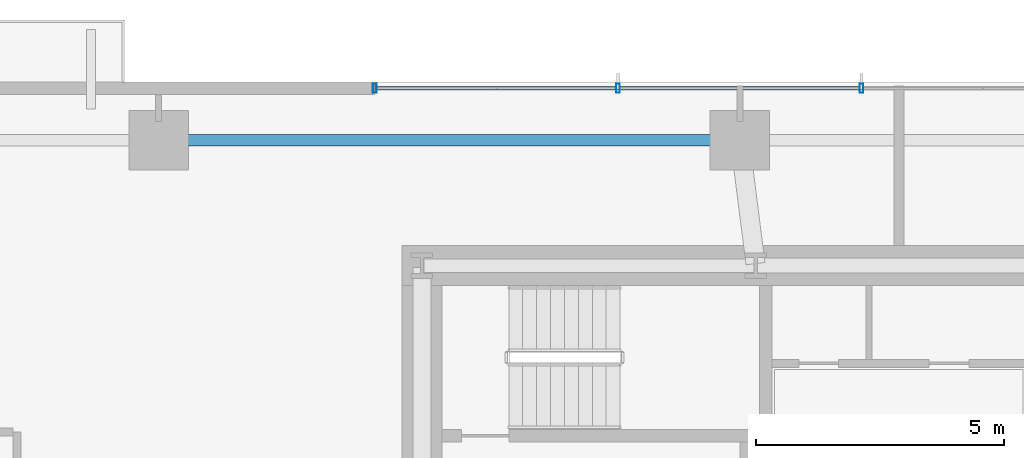
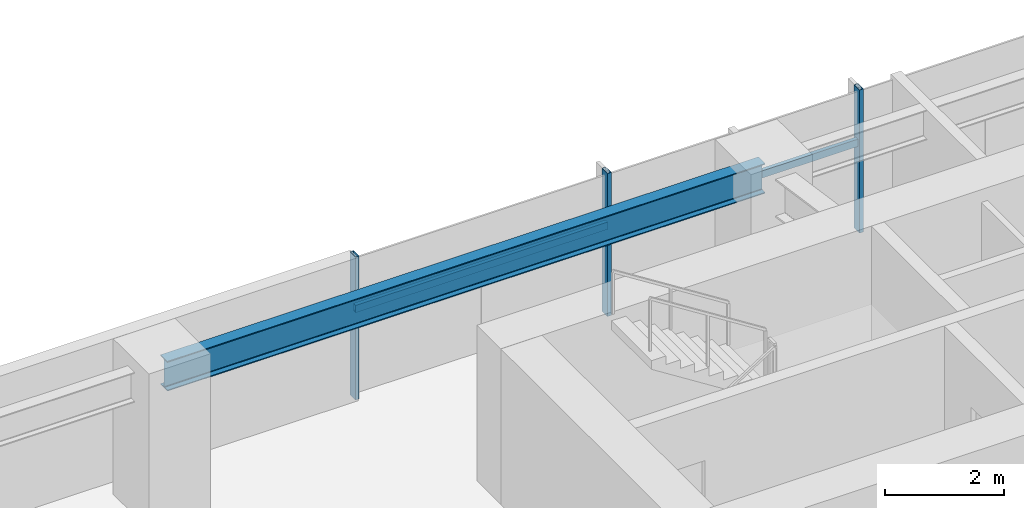
# One storey, part 10 of 25: 5 members, 1 beam, 1 element without a shape of its own.
"""IFC4 building model written with IfcOpenShell, lengths in metres."""

from ifc_helpers import new_model, si_unit, direction, frame, origin, origin_2d, place, context, subcontext, project, spatial, hollow_rectangle, i_section, extrude, source, transform, mapped, material, material_profile, profile_set, type_object, type_shapes, element, aggregate, save


model = new_model("IFC4")

# Units and contexts
model_context = context("Model", 3, precision=1e-05, world=origin(), true_north=direction((0.0, 1.0)))
body_context = subcontext(model_context, "Body", "Model", "MODEL_VIEW")
ifc_project = project(units=[si_unit("LENGTHUNIT", "METRE"), si_unit("AREAUNIT", "SQUARE_METRE"), si_unit("VOLUMEUNIT", "CUBIC_METRE"), si_unit("PLANEANGLEUNIT", "RADIAN"), si_unit("MASSUNIT", "GRAM", prefix="KILO")], contexts=[model_context])

# Site, building, storey
site_placement = place(None, origin())
site = spatial("IfcSite", under=ifc_project, at=site_placement, CompositionType="ELEMENT")
building_placement = place(site_placement, origin())
building = spatial("IfcBuilding", under=site, at=building_placement, Name="Astriad Promenade Condominiums", CompositionType="ELEMENT")
storey_placement = place(building_placement, frame((0.0, 0.0, 32.60009765625)))
storey = spatial("IfcBuildingStorey", under=building, at=storey_placement, Name="L08", CompositionType="ELEMENT", Elevation=32.60009765625)

# Beam
ifc_material_1 = material(Name="Steel ASTM A992 Grade 50", Category="steel")
ifc_material_profile_1 = material_profile(ifc_material_1, i_section(OverallWidth=0.22900390625, OverallDepth=0.612060546875, WebThickness=0.011962890625, FlangeThickness=0.01953125, FilletRadius=0.017822265625, at=origin_2d()), Name="W24X84")
ifc_profile_set_1 = profile_set([ifc_material_profile_1], Name="Steel ASTM A992 Grade 50")
beam_type = type_object("IfcBeamType", Name="STEEL SPANDREL BEAM W24X84", PredefinedType="SPANDREL", material=ifc_profile_set_1)
shared_shape_1 = source(origin(), body_context, "Body", "SweptSolid", [
    extrude(i_section(OverallWidth=0.22900390625, OverallDepth=0.612060546875, WebThickness=0.011962890625, FlangeThickness=0.01953125, FilletRadius=0.017822265625, at=origin_2d()), origin(), (0.0, 0.0, 1.0), 11.6201171875),
])
type_shapes(beam_type, [shared_shape_1])
beam_placement = place(storey_placement, frame((32.760009765625, 26.52001953125, 2.6337890625), z_axis=(-1.0, 0.0, 0.0), x_axis=(0.0, -1.0, 0.0)))
element("IfcBeam", 1, at=beam_placement, inside=storey, type_object=beam_type, Name="Perimeter Spandrel Beam SP-N2-L08", PredefinedType="SPANDREL", context=body_context, shape_type="MappedRepresentation", body=[
    mapped(shared_shape_1, transform((0.0, 0.0, 0.0), scale=1.0)),
])

# Curtain wall, members
ifc_material_2 = material(Name="Anodised aluminium Black Dark Glass Unitised", Category="aluminium")
curtain_wall_type = type_object("IfcCurtainWallType", Name="CW-B1-DARK", PredefinedType="USERDEFINED", material=ifc_material_2)
curtain_wall_placement = place(storey_placement, origin())
curtain_wall = element("IfcCurtainWall", 2, at=curtain_wall_placement, inside=storey, type_object=curtain_wall_type, Name="CW-L08-N", ObjectType="UNITISED_CURTAIN_WALL", PredefinedType="USERDEFINED")
ifc_material_3 = material(Name="Anodised aluminium 6063-T6 Black", Category="aluminium")
ifc_material_profile_2 = material_profile(ifc_material_3, hollow_rectangle(XDim=0.074951171875, YDim=0.18505859375, WallThickness=0.00439453125, at=origin_2d()), Name="ALU-MUL-75X185")
ifc_profile_set_2 = profile_set([ifc_material_profile_2], Name="Anodised aluminium 6063-T6 Black")
member_type_1 = type_object("IfcMemberType", Name="MUL-ALU-MUL-75X185", PredefinedType="MULLION", material=ifc_profile_set_2)
shared_shape_2 = source(origin(), body_context, "Body", "SweptSolid", [
    extrude(hollow_rectangle(XDim=0.074951171875, YDim=0.18505859375, WallThickness=0.00439453125, at=origin_2d()), origin(), (0.0, 0.0, 1.0), 2.93994140625),
])
type_shapes(member_type_1, [shared_shape_2])
member_1_placement = place(storey_placement, frame((25.449951171875, 27.570068359375, 0.0), z_axis=(0.0, 0.0, 1.0), x_axis=(1.0, 0.0, 0.0)))
member_1 = element("IfcMember", 3, at=member_1_placement, type_object=member_type_1, Name="CW-L08-N-MUL-00", PredefinedType="MULLION", context=body_context, shape_type="MappedRepresentation", body=[
    mapped(shared_shape_2, transform((0.0, 0.0, 0.0), scale=1.0)),
])
member_2_placement = place(storey_placement, frame((30.35009765625, 27.570068359375, 0.0), z_axis=(0.0, 0.0, 1.0), x_axis=(1.0, 0.0, 0.0)))
member_2 = element("IfcMember", 4, at=member_2_placement, type_object=member_type_1, Name="CW-L08-N-MUL-01", PredefinedType="MULLION", context=body_context, shape_type="MappedRepresentation", body=[
    mapped(shared_shape_2, transform((0.0, 0.0, 0.0), scale=1.0)),
])
member_3_placement = place(storey_placement, frame((35.25, 27.570068359375, 0.0), z_axis=(0.0, 0.0, 1.0), x_axis=(1.0, 0.0, 0.0)))
member_3 = element("IfcMember", 5, at=member_3_placement, type_object=member_type_1, Name="CW-L08-N-MUL-02", PredefinedType="MULLION", context=body_context, shape_type="MappedRepresentation", body=[
    mapped(shared_shape_2, transform((0.0, 0.0, 0.0), scale=1.0)),
])
ifc_material_profile_3 = material_profile(ifc_material_3, hollow_rectangle(XDim=0.074951171875, YDim=0.14990234375, WallThickness=0.004150390625, at=origin_2d()), Name="ALU-TRN-75X150")
ifc_profile_set_3 = profile_set([ifc_material_profile_3], Name="Anodised aluminium 6063-T6 Black")
member_type_2 = type_object("IfcMemberType", Name="TRN-ALU-TRN-75X150", PredefinedType="USERDEFINED", material=ifc_profile_set_3)
shared_shape_3 = source(origin(), body_context, "Body", "SweptSolid", [
    extrude(hollow_rectangle(XDim=0.074951171875, YDim=0.14990234375, WallThickness=0.004150390625, at=origin_2d()), origin(), (0.0, 0.0, 1.0), 4.900146484375),
])
member_4_placement = place(storey_placement, frame((25.449951171875, 27.570068359375, 1.82275390625), z_axis=(1.0, 0.0, 0.0), x_axis=(0.0, 1.0, 0.0)))
member_4 = element("IfcMember", 6, at=member_4_placement, type_object=member_type_2, Name="CW-L08-N-TRN-00-0", ObjectType="TRANSOM", PredefinedType="USERDEFINED", context=body_context, shape_type="MappedRepresentation", body=[
    mapped(shared_shape_3, transform((0.0, 0.0, 0.0), scale=1.0)),
])
shared_shape_4 = source(origin(), body_context, "Body", "SweptSolid", [
    extrude(hollow_rectangle(XDim=0.074951171875, YDim=0.14990234375, WallThickness=0.004150390625, at=origin_2d()), origin(), (0.0, 0.0, 1.0), 4.89990234375),
])
type_shapes(member_type_2, [shared_shape_3, shared_shape_4])
member_5_placement = place(storey_placement, frame((30.35009765625, 27.570068359375, 1.82275390625), z_axis=(1.0, 0.0, 0.0), x_axis=(0.0, 1.0, 0.0)))
member_5 = element("IfcMember", 7, at=member_5_placement, type_object=member_type_2, Name="CW-L08-N-TRN-01-0", ObjectType="TRANSOM", PredefinedType="USERDEFINED", context=body_context, shape_type="MappedRepresentation", body=[
    mapped(shared_shape_4, transform((0.0, 0.0, 0.0), scale=1.0)),
])
aggregate(curtain_wall, [member_1, member_2, member_3, member_4, member_5])

save(model, "model.ifc")
